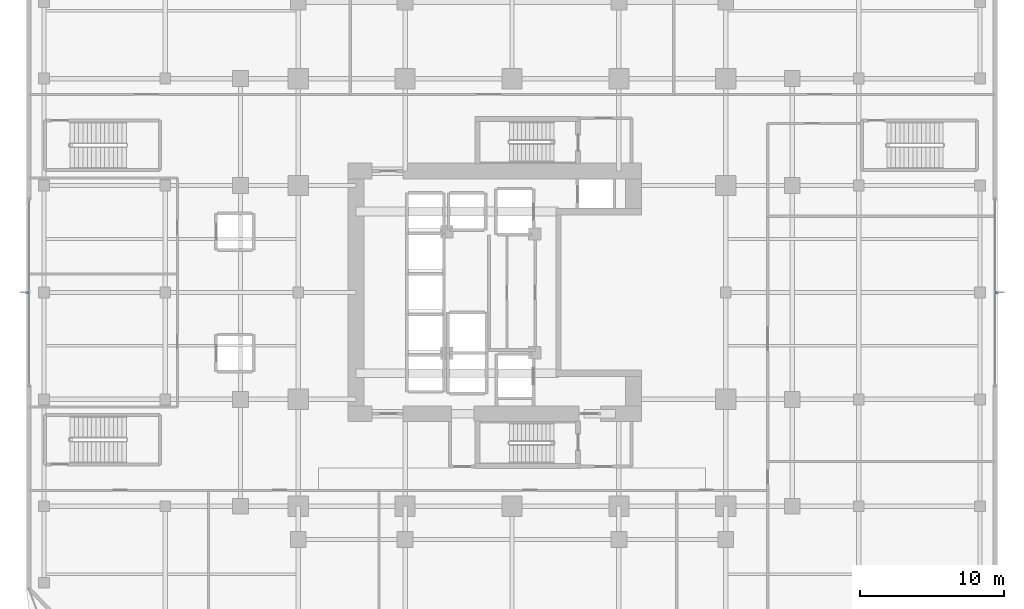
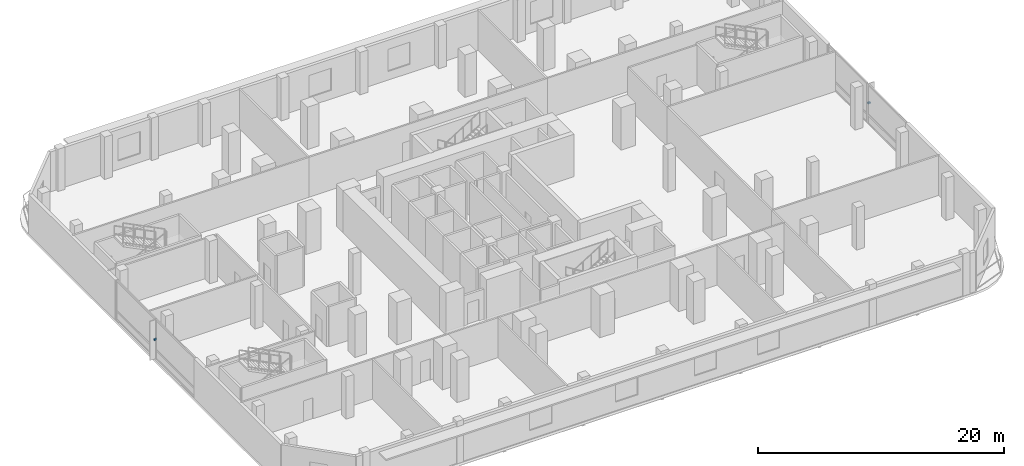
# One storey, part 12 of 19: 2 discrete accessories.
"""IFC4 building model written with IfcOpenShell, lengths in metres."""

from ifc_helpers import new_model, si_unit, direction, frame, origin, origin_2d, place, context, subcontext, project, spatial, rectangle, extrude, material, type_object, element, save


model = new_model("IFC4")

# Units and contexts
model_context = context("Model", 3, precision=1e-05, world=origin(), true_north=direction((0.0, 1.0)))
body_context = subcontext(model_context, "Body", "Model", "MODEL_VIEW")
ifc_project = project(units=[si_unit("LENGTHUNIT", "METRE"), si_unit("AREAUNIT", "SQUARE_METRE"), si_unit("VOLUMEUNIT", "CUBIC_METRE"), si_unit("PLANEANGLEUNIT", "RADIAN"), si_unit("MASSUNIT", "GRAM", prefix="KILO")], contexts=[model_context])

# Site, building, storey
site_placement = place(None, origin())
site = spatial("IfcSite", under=ifc_project, at=site_placement, CompositionType="ELEMENT")
building_placement = place(site_placement, origin())
building = spatial("IfcBuilding", under=site, at=building_placement, Name="Khorvyn Point Tower", CompositionType="ELEMENT")
storey_placement = place(building_placement, frame((0.0, 0.0, 17.39990234375)))
storey = spatial("IfcBuildingStorey", under=building, at=storey_placement, Name="L05", CompositionType="ELEMENT", Elevation=17.39990234375)

# Discrete accessories
ifc_material = material(Name="Stainless steel 1.4401", Category="steel")
discrete_accessory_type = type_object("IfcDiscreteAccessoryType", Name="Stainless Steel 316 Facade Fin Fixing Bracket", PredefinedType="BRACKET", material=ifc_material)
for number, where, z_axis, x_axis, name in (
    (1, (-33.550048828125, 0.0, 1.89990234375), (0.0, 0.0, 1.0), (0.0, 1.0, 0.0), "L05 Solar Fin Fixing Bracket 01"),
    (2, (33.550048828125, 0.0, 1.89990234375), (0.0, 0.0, 1.0), (0.0, 1.0, 0.0), "L05 Solar Fin Fixing Bracket 01"),
):
    element("IfcDiscreteAccessory", number, at=place(storey_placement, frame(where, z_axis=z_axis, x_axis=x_axis)), inside=storey, type_object=discrete_accessory_type, Name=name, PredefinedType="BRACKET", context=body_context, shape_type="SweptSolid", body=[
        extrude(rectangle(XDim=0.159912109375, YDim=0.260009765625, at=origin_2d()), origin(), (0.0, 0.0, 1.0), 0.159912109375),
    ])

save(model, "model.ifc")
